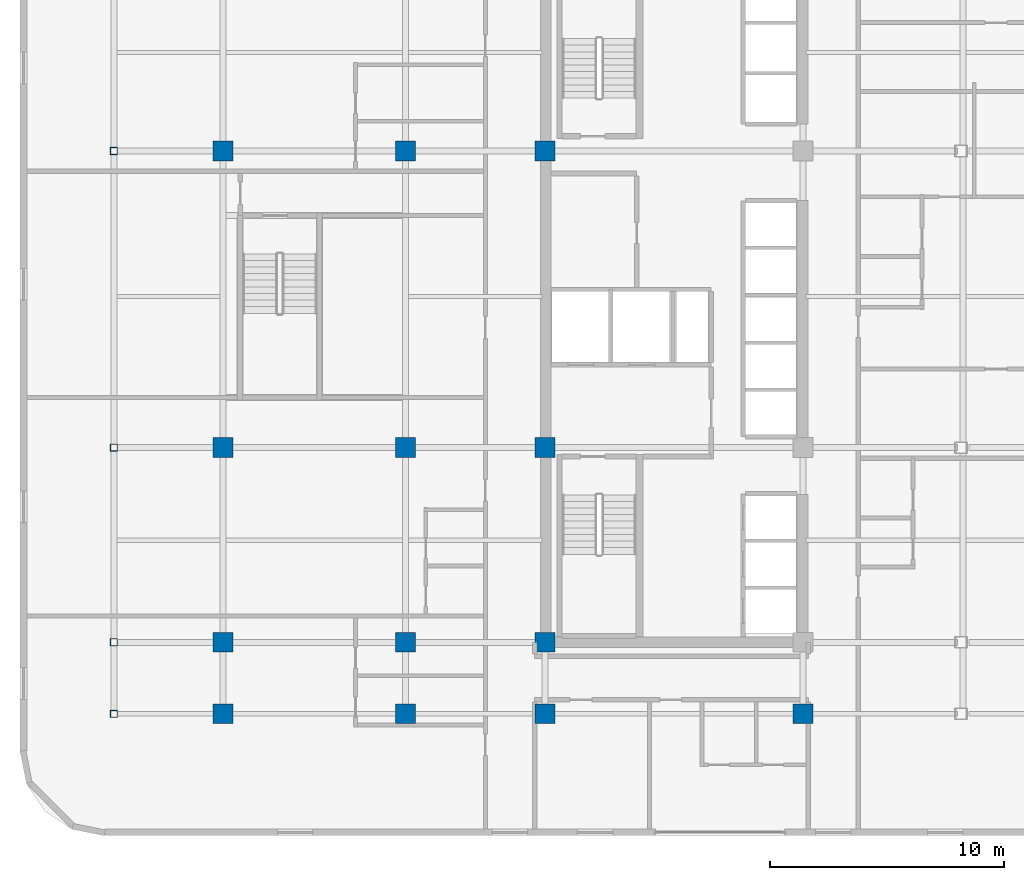
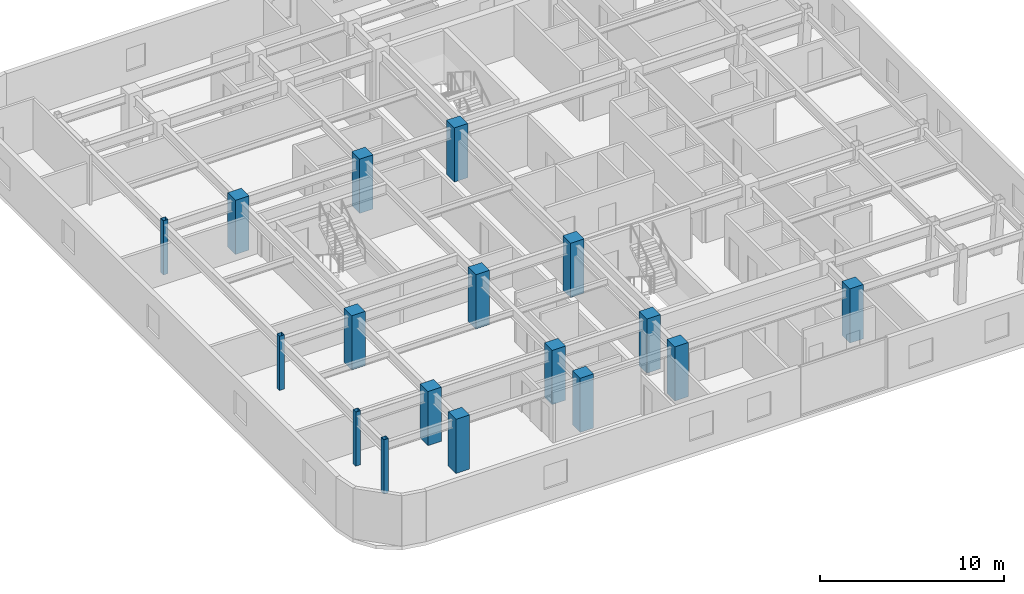
# One storey, part 1 of 13: 17 columns.
"""IFC4 building model written with IfcOpenShell, lengths in metres."""

from ifc_helpers import new_model, si_unit, direction, frame, origin, origin_2d, place, context, subcontext, project, spatial, rectangle, hollow_rectangle, extrude, material, material_profile, profile_set, type_object, element, save


model = new_model("IFC4")

# Units and contexts
model_context = context("Model", 3, precision=1e-05, world=origin(), true_north=direction((0.0, 1.0)))
body_context = subcontext(model_context, "Body", "Model", "MODEL_VIEW")
ifc_project = project(units=[si_unit("LENGTHUNIT", "METRE"), si_unit("AREAUNIT", "SQUARE_METRE"), si_unit("VOLUMEUNIT", "CUBIC_METRE"), si_unit("PLANEANGLEUNIT", "RADIAN"), si_unit("MASSUNIT", "GRAM", prefix="KILO")], contexts=[model_context])

# Site, building, storey
site_placement = place(None, origin())
site = spatial("IfcSite", under=ifc_project, at=site_placement, CompositionType="ELEMENT")
building_placement = place(site_placement, origin())
building = spatial("IfcBuilding", under=site, at=building_placement, Name="Ochreholt Gables", CompositionType="ELEMENT")
storey_placement = place(building_placement, frame((0.0, 0.0, 56.39990234375)))
storey = spatial("IfcBuildingStorey", under=building, at=storey_placement, Name="L14", CompositionType="ELEMENT", Elevation=56.39990234375)

# Columns
ifc_material_1 = material(Name="Steel CSA G40.21 350W", Category="steel")
ifc_material_profile_1 = material_profile(ifc_material_1, hollow_rectangle(XDim=0.304931640625, YDim=0.304931640625, WallThickness=0.0126953125, at=origin_2d()), Name="HSS305X305X13")
ifc_profile_set_1 = profile_set([ifc_material_profile_1], Name="Steel CSA G40.21 350W")
column_type_1 = type_object("IfcColumnType", Name="COL-HSS305-EXT", PredefinedType="COLUMN", material=ifc_profile_set_1)
for number, where, z_axis, x_axis, name in (
    (1, (5.800048828125, 6.199951171875, 0.0), (0.0, 0.0, 1.0), (1.0, 0.0, 0.0), "L14 Column WTY1"),
    (2, (5.800048828125, 9.25, 0.0), (0.0, 0.0, 1.0), (1.0, 0.0, 0.0), "L14 Column WTY2"),
    (3, (5.800048828125, 17.550048828125, 0.0), (0.0, 0.0, 1.0), (1.0, 0.0, 0.0), "L14 Column WTY3"),
    (4, (5.800048828125, 30.199951171875, 0.0), (0.0, 0.0, 1.0), (1.0, 0.0, 0.0), "L14 Column WTY4"),
):
    element("IfcColumn", number, at=place(storey_placement, frame(where, z_axis=z_axis, x_axis=x_axis)), inside=storey, type_object=column_type_1, Name=name, PredefinedType="COLUMN", context=body_context, shape_type="SweptSolid", body=[
        extrude(hollow_rectangle(XDim=0.304931640625, YDim=0.304931640625, WallThickness=0.0126953125, at=origin_2d()), origin(), (0.0, 0.0, 1.0), 3.60009765625),
    ])
ifc_material_2 = material(Name="Concrete 60 MPa", Category="concrete")
ifc_material_profile_2 = material_profile(ifc_material_2, rectangle(XDim=0.85009765625, YDim=0.85009765625, at=origin_2d()), Name="RC850X850")
ifc_profile_set_2 = profile_set([ifc_material_profile_2], Name="Concrete 60 MPa")
column_type_2 = type_object("IfcColumnType", Name="COL-RC850-EXT", PredefinedType="COLUMN", material=ifc_profile_set_2)
for number, where, z_axis, x_axis, name in (
    (5, (10.449951171875, 6.199951171875, 0.0), (0.0, 0.0, 1.0), (1.0, 0.0, 0.0), "L14 Column W2Y1"),
    (6, (18.25, 6.199951171875, 0.0), (0.0, 0.0, 1.0), (1.0, 0.0, 0.0), "L14 Column W3Y1"),
    (7, (24.199951171875, 6.199951171875, 0.0), (0.0, 0.0, 1.0), (1.0, 0.0, 0.0), "L14 Column C1Y1"),
    (8, (35.199951171875, 6.199951171875, 0.0), (0.0, 0.0, 1.0), (1.0, 0.0, 0.0), "L14 Column C2Y1"),
):
    element("IfcColumn", number, at=place(storey_placement, frame(where, z_axis=z_axis, x_axis=x_axis)), inside=storey, type_object=column_type_2, Name=name, PredefinedType="COLUMN", context=body_context, shape_type="SweptSolid", body=[
        extrude(rectangle(XDim=0.85009765625, YDim=0.85009765625, at=origin_2d()), origin(), (0.0, 0.0, 1.0), 3.60009765625),
    ])
ifc_material_profile_3 = material_profile(ifc_material_2, rectangle(XDim=0.85009765625, YDim=0.85009765625, at=origin_2d()), Name="RC850X850")
ifc_profile_set_3 = profile_set([ifc_material_profile_3], Name="Concrete 60 MPa")
column_type_3 = type_object("IfcColumnType", Name="COL-RC850-INT", PredefinedType="COLUMN", material=ifc_profile_set_3)
for number, where, z_axis, x_axis, name in (
    (9, (10.449951171875, 9.25, 0.0), (0.0, 0.0, 1.0), (1.0, 0.0, 0.0), "L14 Column W2Y2"),
    (10, (10.449951171875, 17.550048828125, 0.0), (0.0, 0.0, 1.0), (1.0, 0.0, 0.0), "L14 Column W2Y3"),
    (11, (10.449951171875, 30.199951171875, 0.0), (0.0, 0.0, 1.0), (1.0, 0.0, 0.0), "L14 Column W2Y4"),
    (12, (18.25, 9.25, 0.0), (0.0, 0.0, 1.0), (1.0, 0.0, 0.0), "L14 Column W3Y2"),
    (13, (18.25, 17.550048828125, 0.0), (0.0, 0.0, 1.0), (1.0, 0.0, 0.0), "L14 Column W3Y3"),
    (14, (18.25, 30.199951171875, 0.0), (0.0, 0.0, 1.0), (1.0, 0.0, 0.0), "L14 Column W3Y4"),
    (15, (24.199951171875, 9.25, 0.0), (0.0, 0.0, 1.0), (1.0, 0.0, 0.0), "L14 Column C1Y2"),
    (16, (24.199951171875, 17.550048828125, 0.0), (0.0, 0.0, 1.0), (1.0, 0.0, 0.0), "L14 Column C1Y3"),
    (17, (24.199951171875, 30.199951171875, 0.0), (0.0, 0.0, 1.0), (1.0, 0.0, 0.0), "L14 Column C1Y4"),
):
    element("IfcColumn", number, at=place(storey_placement, frame(where, z_axis=z_axis, x_axis=x_axis)), inside=storey, type_object=column_type_3, Name=name, PredefinedType="COLUMN", context=body_context, shape_type="SweptSolid", body=[
        extrude(rectangle(XDim=0.85009765625, YDim=0.85009765625, at=origin_2d()), origin(), (0.0, 0.0, 1.0), 3.60009765625),
    ])

save(model, "model.ifc")
